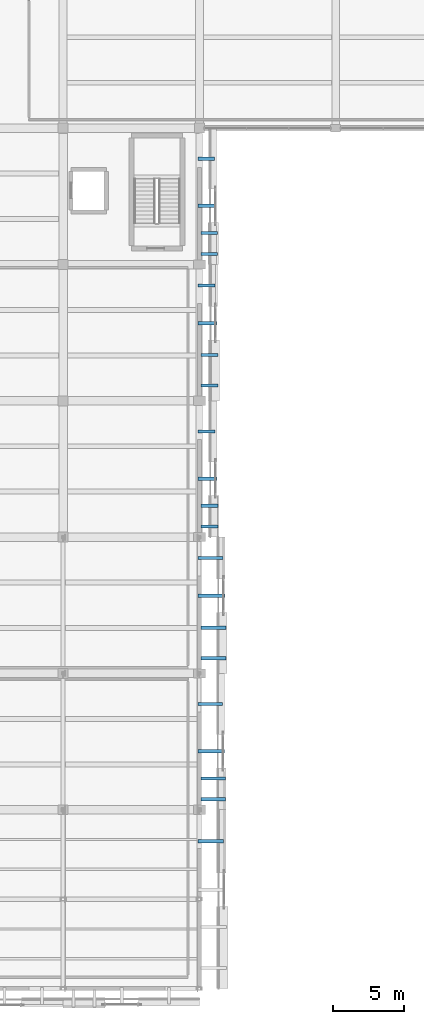
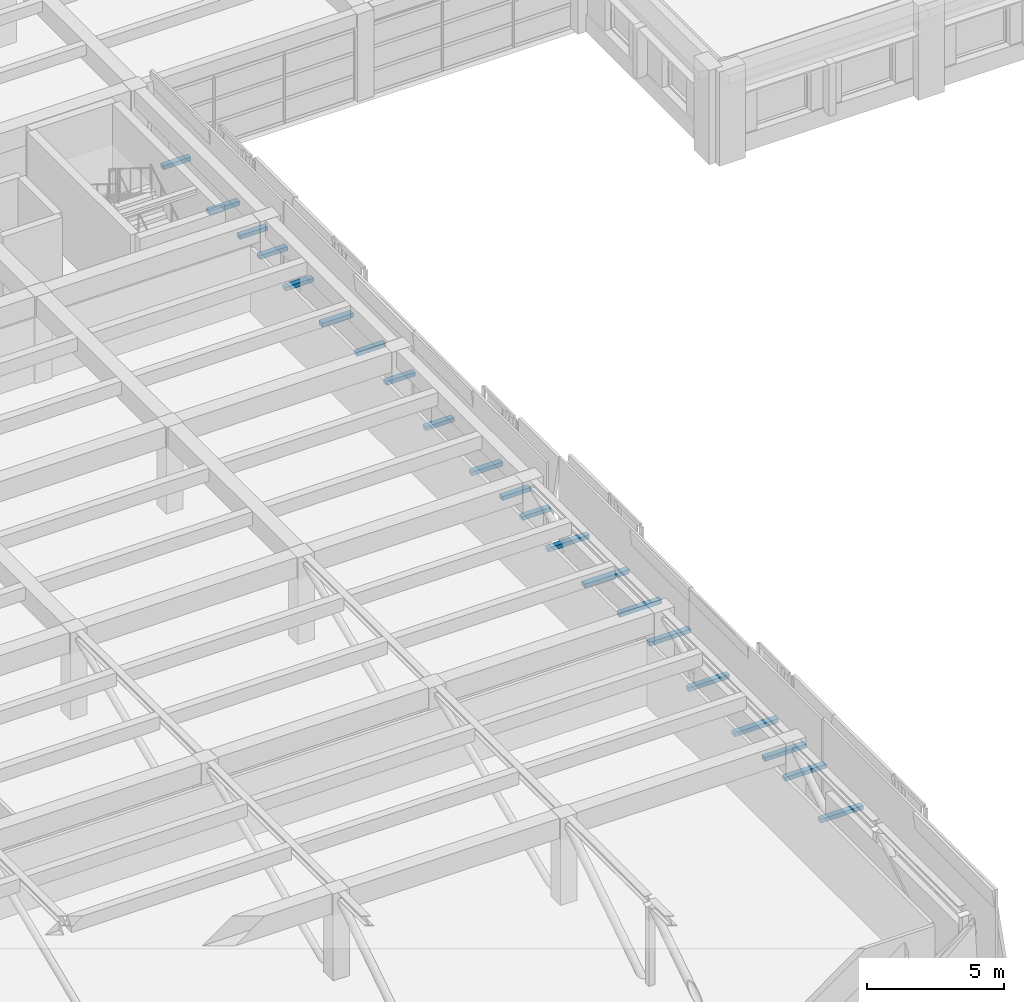
# One storey, part 51 of 62: 21 discrete accessories.
"""IFC4 building model written with IfcOpenShell, lengths in metres."""

from ifc_helpers import new_model, si_unit, direction, frame, origin, origin_2d, place, context, subcontext, project, spatial, rectangle, extrude, material, layer, layer_set, type_object, element, save


model = new_model("IFC4")

# Units and contexts
model_context = context("Model", 3, precision=1e-05, world=origin(), true_north=direction((0.0, 1.0)))
body_context = subcontext(model_context, "Body", "Model", "MODEL_VIEW")
ifc_project = project(units=[si_unit("LENGTHUNIT", "METRE"), si_unit("AREAUNIT", "SQUARE_METRE"), si_unit("VOLUMEUNIT", "CUBIC_METRE"), si_unit("PLANEANGLEUNIT", "RADIAN"), si_unit("MASSUNIT", "GRAM", prefix="KILO")], contexts=[model_context])

# Site, building, storey
site_placement = place(None, origin())
site = spatial("IfcSite", under=ifc_project, at=site_placement, CompositionType="ELEMENT")
building_placement = place(site_placement, origin())
building = spatial("IfcBuilding", under=site, at=building_placement, Name="Bempovik Park Faculty of Sciences", CompositionType="ELEMENT")
storey_placement = place(building_placement, frame((0.0, 0.0, 9.89990234375)))
storey = spatial("IfcBuildingStorey", under=building, at=storey_placement, Name="L02", CompositionType="ELEMENT", Elevation=9.89990234375)

# Discrete accessories
ifc_material = material(Name="Steel S355", Category="steel")
ifc_layer = layer(ifc_material, 0.14990234375)
ifc_layer_set = layer_set([ifc_layer], Name="Steel S355")
discrete_accessory_type = type_object("IfcDiscreteAccessoryType", Name="BK-01 Facade Support Bracket", PredefinedType="BRACKET", material=ifc_layer_set)
discrete_accessory_1_placement = place(storey_placement, frame((118.400146484375, 17.577392578125, 1.4501953125), z_axis=(0.0, 0.0, 1.0), x_axis=(1.0, 0.0, 0.0)))
element("IfcDiscreteAccessory", 1, at=discrete_accessory_1_placement, inside=storey, type_object=discrete_accessory_type, Name="Crystal Cladding Support Bracket FAC-CRYS-L02-1176-72-BKR", PredefinedType="BRACKET", context=body_context, shape_type="SweptSolid", body=[
    extrude(rectangle(XDim=1.780517578125, YDim=0.219970703125, at=origin_2d()), origin(), (0.0, 0.0, 1.0), 0.179931640625),
])
discrete_accessory_2_placement = place(storey_placement, frame((118.367919921875, 27.25244140625, 1.4501953125), z_axis=(0.0, 0.0, 1.0), x_axis=(1.0, 0.0, 0.0)))
element("IfcDiscreteAccessory", 2, at=discrete_accessory_2_placement, inside=storey, type_object=discrete_accessory_type, Name="Crystal Cladding Support Bracket FAC-CRYS-L02-1176-198-BKR", PredefinedType="BRACKET", context=body_context, shape_type="SweptSolid", body=[
    extrude(rectangle(XDim=1.7158203125, YDim=0.219970703125, at=origin_2d()), origin(), (0.0, 0.0, 1.0), 0.179931640625),
])
for number, where, z_axis, x_axis, name in (
    (3, (118.56787109375, 20.536376953125, 1.4501953125), (0.0, 0.0, 1.0), (1.0, 0.0, 0.0), "Crystal Cladding Support Bracket FAC-CRYS-L02-1176-198-BK1"),
    (4, (118.56787109375, 22.0087890625, 1.4501953125), (0.0, 0.0, 1.0), (1.0, 0.0, 0.0), "Crystal Cladding Support Bracket FAC-CRYS-L02-1176-198-BK2"),
):
    element("IfcDiscreteAccessory", number, at=place(storey_placement, frame(where, z_axis=z_axis, x_axis=x_axis)), inside=storey, type_object=discrete_accessory_type, Name=name, PredefinedType="BRACKET", context=body_context, shape_type="SweptSolid", body=[
        extrude(rectangle(XDim=1.73583984375, YDim=0.219970703125, at=origin_2d()), origin(), (0.0, 0.0, 1.0), 0.179931640625),
    ])
discrete_accessory_3_placement = place(storey_placement, frame((118.43798828125, 23.925048828125, 1.4501953125), z_axis=(0.0, 0.0, 1.0), x_axis=(1.0, 0.0, 0.0)))
element("IfcDiscreteAccessory", 5, at=discrete_accessory_3_placement, inside=storey, type_object=discrete_accessory_type, Name="Crystal Fold Tie Bracket FAC-CRYS-L02-1176-198-BKF", PredefinedType="BRACKET", context=body_context, shape_type="SweptSolid", body=[
    extrude(rectangle(XDim=1.8359375, YDim=0.239990234375, at=origin_2d()), origin(), (0.0, 0.0, 1.0), 0.179931640625),
])
discrete_accessory_4_placement = place(storey_placement, frame((118.384033203125, 37.527587890625, 1.4501953125), z_axis=(0.0, 0.0, 1.0), x_axis=(1.0, 0.0, 0.0)))
element("IfcDiscreteAccessory", 6, at=discrete_accessory_4_placement, inside=storey, type_object=discrete_accessory_type, Name="Crystal Cladding Support Bracket FAC-CRYS-L02-1176-294-BKR", PredefinedType="BRACKET", context=body_context, shape_type="SweptSolid", body=[
    extrude(rectangle(XDim=1.748291015625, YDim=0.219970703125, at=origin_2d()), origin(), (0.0, 0.0, 1.0), 0.179931640625),
])
for number, where, z_axis, x_axis, name in (
    (7, (118.583984375, 30.4736328125, 1.4501953125), (0.0, 0.0, 1.0), (1.0, 0.0, 0.0), "Crystal Cladding Support Bracket FAC-CRYS-L02-1176-294-BK1"),
    (8, (118.583984375, 32.62109375, 1.4501953125), (0.0, 0.0, 1.0), (1.0, 0.0, 0.0), "Crystal Cladding Support Bracket FAC-CRYS-L02-1176-294-BK2"),
):
    element("IfcDiscreteAccessory", number, at=place(storey_placement, frame(where, z_axis=z_axis, x_axis=x_axis)), inside=storey, type_object=discrete_accessory_type, Name=name, PredefinedType="BRACKET", context=body_context, shape_type="SweptSolid", body=[
        extrude(rectangle(XDim=1.768310546875, YDim=0.219970703125, at=origin_2d()), origin(), (0.0, 0.0, 1.0), 0.179931640625),
    ])
discrete_accessory_5_placement = place(storey_placement, frame((118.4541015625, 34.875, 1.4501953125), z_axis=(0.0, 0.0, 1.0), x_axis=(1.0, 0.0, 0.0)))
element("IfcDiscreteAccessory", 9, at=discrete_accessory_5_placement, inside=storey, type_object=discrete_accessory_type, Name="Crystal Fold Tie Bracket FAC-CRYS-L02-1176-294-BKF", PredefinedType="BRACKET", context=body_context, shape_type="SweptSolid", body=[
    extrude(rectangle(XDim=1.8681640625, YDim=0.239990234375, at=origin_2d()), origin(), (0.0, 0.0, 1.0), 0.179931640625),
])
discrete_accessory_6_placement = place(storey_placement, frame((118.10205078125, 46.452392578125, 1.4501953125), z_axis=(0.0, 0.0, 1.0), x_axis=(1.0, 0.0, 0.0)))
element("IfcDiscreteAccessory", 10, at=discrete_accessory_6_placement, inside=storey, type_object=discrete_accessory_type, Name="Crystal Cladding Support Bracket FAC-CRYS-L02-1176-390-BKR", PredefinedType="BRACKET", context=body_context, shape_type="SweptSolid", body=[
    extrude(rectangle(XDim=1.184326171875, YDim=0.219970703125, at=origin_2d()), origin(), (0.0, 0.0, 1.0), 0.179931640625),
])
for number, where, z_axis, x_axis, name in (
    (11, (118.302001953125, 39.736083984375, 1.4501953125), (0.0, 0.0, 1.0), (1.0, 0.0, 0.0), "Crystal Cladding Support Bracket FAC-CRYS-L02-1176-390-BK1"),
    (12, (118.302001953125, 41.208740234375, 1.4501953125), (0.0, 0.0, 1.0), (1.0, 0.0, 0.0), "Crystal Cladding Support Bracket FAC-CRYS-L02-1176-390-BK2"),
):
    element("IfcDiscreteAccessory", number, at=place(storey_placement, frame(where, z_axis=z_axis, x_axis=x_axis)), inside=storey, type_object=discrete_accessory_type, Name=name, PredefinedType="BRACKET", context=body_context, shape_type="SweptSolid", body=[
        extrude(rectangle(XDim=1.204345703125, YDim=0.219970703125, at=origin_2d()), origin(), (0.0, 0.0, 1.0), 0.179931640625),
    ])
discrete_accessory_7_placement = place(storey_placement, frame((118.172119140625, 43.125, 1.4501953125), z_axis=(0.0, 0.0, 1.0), x_axis=(1.0, 0.0, 0.0)))
element("IfcDiscreteAccessory", 13, at=discrete_accessory_7_placement, inside=storey, type_object=discrete_accessory_type, Name="Crystal Fold Tie Bracket FAC-CRYS-L02-1176-390-BKF", PredefinedType="BRACKET", context=body_context, shape_type="SweptSolid", body=[
    extrude(rectangle(XDim=1.30419921875, YDim=0.239990234375, at=origin_2d()), origin(), (0.0, 0.0, 1.0), 0.179931640625),
])
discrete_accessory_8_placement = place(storey_placement, frame((118.106201171875, 56.7275390625, 1.4501953125), z_axis=(0.0, 0.0, 1.0), x_axis=(1.0, 0.0, 0.0)))
element("IfcDiscreteAccessory", 14, at=discrete_accessory_8_placement, inside=storey, type_object=discrete_accessory_type, Name="Crystal Cladding Support Bracket FAC-CRYS-L02-1176-486-BKR", PredefinedType="BRACKET", context=body_context, shape_type="SweptSolid", body=[
    extrude(rectangle(XDim=1.1923828125, YDim=0.219970703125, at=origin_2d()), origin(), (0.0, 0.0, 1.0), 0.179931640625),
])
for number, where, z_axis, x_axis, name in (
    (15, (118.30615234375, 49.673828125, 1.4501953125), (0.0, 0.0, 1.0), (1.0, 0.0, 0.0), "Crystal Cladding Support Bracket FAC-CRYS-L02-1176-486-BK1"),
    (16, (118.30615234375, 51.8212890625, 1.4501953125), (0.0, 0.0, 1.0), (1.0, 0.0, 0.0), "Crystal Cladding Support Bracket FAC-CRYS-L02-1176-486-BK2"),
):
    element("IfcDiscreteAccessory", number, at=place(storey_placement, frame(where, z_axis=z_axis, x_axis=x_axis)), inside=storey, type_object=discrete_accessory_type, Name=name, PredefinedType="BRACKET", context=body_context, shape_type="SweptSolid", body=[
        extrude(rectangle(XDim=1.21240234375, YDim=0.219970703125, at=origin_2d()), origin(), (0.0, 0.0, 1.0), 0.179931640625),
    ])
discrete_accessory_9_placement = place(storey_placement, frame((118.17626953125, 54.074951171875, 1.4501953125), z_axis=(0.0, 0.0, 1.0), x_axis=(1.0, 0.0, 0.0)))
element("IfcDiscreteAccessory", 17, at=discrete_accessory_9_placement, inside=storey, type_object=discrete_accessory_type, Name="Crystal Fold Tie Bracket FAC-CRYS-L02-1176-486-BKF", PredefinedType="BRACKET", context=body_context, shape_type="SweptSolid", body=[
    extrude(rectangle(XDim=1.312255859375, YDim=0.239990234375, at=origin_2d()), origin(), (0.0, 0.0, 1.0), 0.179931640625),
])
discrete_accessory_10_placement = place(storey_placement, frame((118.090087890625, 65.652587890625, 1.4501953125), z_axis=(0.0, 0.0, 1.0), x_axis=(1.0, 0.0, 0.0)))
element("IfcDiscreteAccessory", 18, at=discrete_accessory_10_placement, inside=storey, type_object=discrete_accessory_type, Name="Crystal Cladding Support Bracket FAC-CRYS-L02-1176-582-BKR", PredefinedType="BRACKET", context=body_context, shape_type="SweptSolid", body=[
    extrude(rectangle(XDim=1.16015625, YDim=0.219970703125, at=origin_2d()), origin(), (0.0, 0.0, 1.0), 0.179931640625),
])
for number, where, z_axis, x_axis, name in (
    (19, (118.2900390625, 58.936279296875, 1.4501953125), (0.0, 0.0, 1.0), (1.0, 0.0, 0.0), "Crystal Cladding Support Bracket FAC-CRYS-L02-1176-582-BK1"),
    (20, (118.2900390625, 60.40869140625, 1.4501953125), (0.0, 0.0, 1.0), (1.0, 0.0, 0.0), "Crystal Cladding Support Bracket FAC-CRYS-L02-1176-582-BK2"),
):
    element("IfcDiscreteAccessory", number, at=place(storey_placement, frame(where, z_axis=z_axis, x_axis=x_axis)), inside=storey, type_object=discrete_accessory_type, Name=name, PredefinedType="BRACKET", context=body_context, shape_type="SweptSolid", body=[
        extrude(rectangle(XDim=1.18017578125, YDim=0.219970703125, at=origin_2d()), origin(), (0.0, 0.0, 1.0), 0.179931640625),
    ])
discrete_accessory_11_placement = place(storey_placement, frame((118.159912109375, 62.324951171875, 1.4501953125), z_axis=(0.0, 0.0, 1.0), x_axis=(1.0, 0.0, 0.0)))
element("IfcDiscreteAccessory", 21, at=discrete_accessory_11_placement, inside=storey, type_object=discrete_accessory_type, Name="Crystal Fold Tie Bracket FAC-CRYS-L02-1176-582-BKF", PredefinedType="BRACKET", context=body_context, shape_type="SweptSolid", body=[
    extrude(rectangle(XDim=1.280029296875, YDim=0.239990234375, at=origin_2d()), origin(), (0.0, 0.0, 1.0), 0.179931640625),
])

save(model, "model.ifc")
